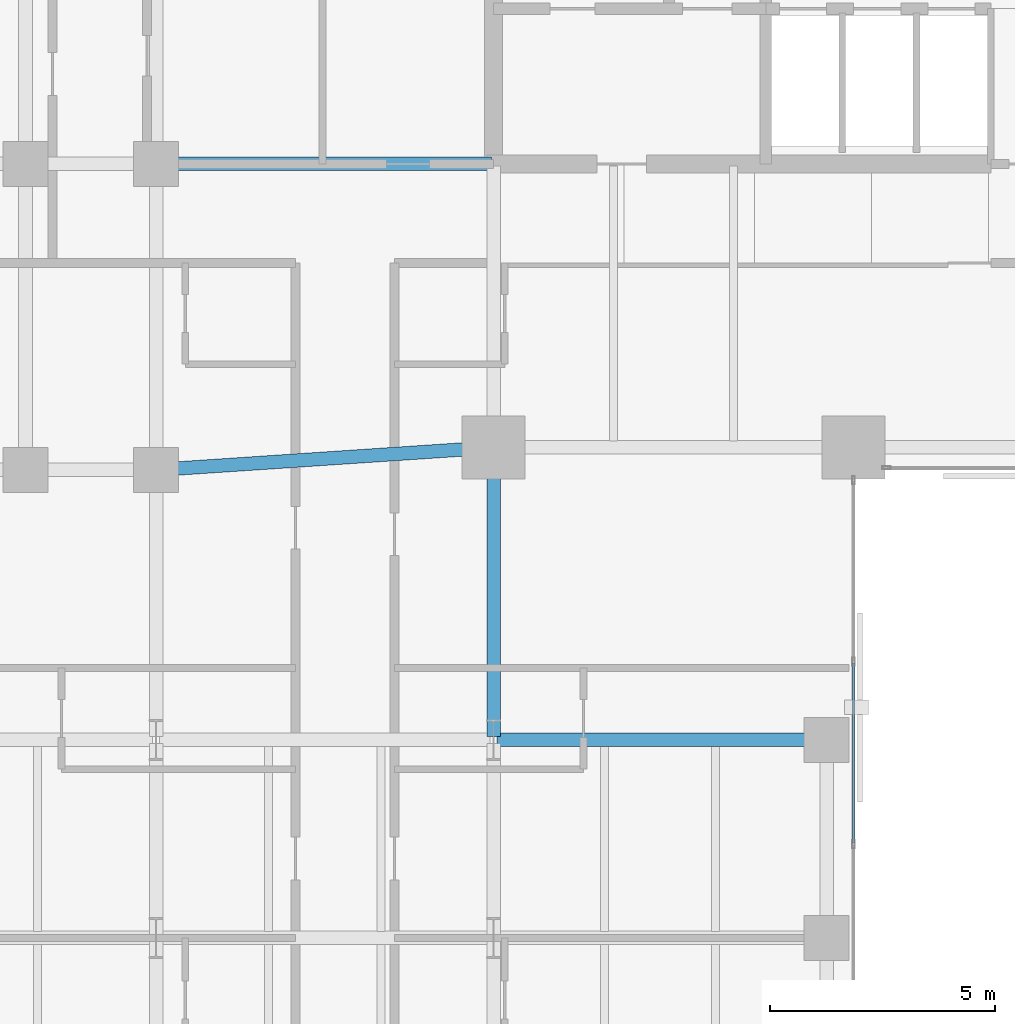
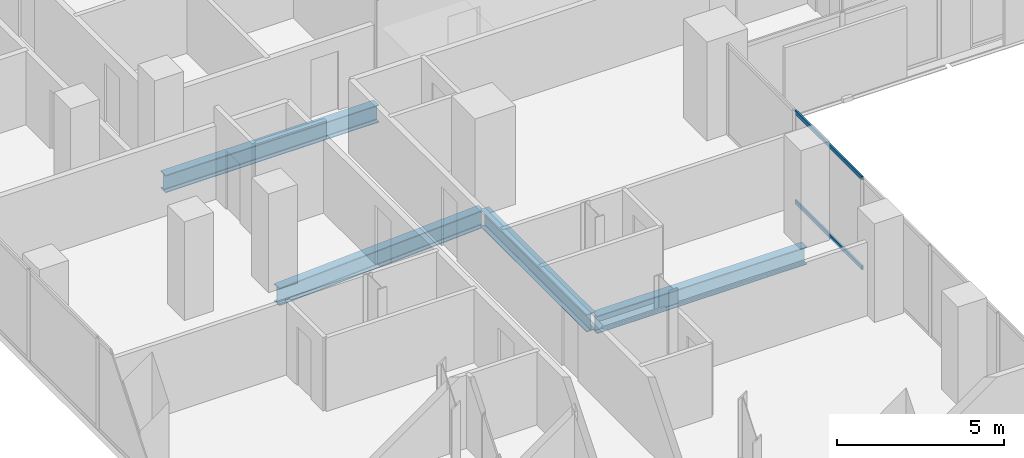
# One storey, part 11 of 32: 4 beams, 2 members, 1 element without a shape of its own.
"""IFC4 building model written with IfcOpenShell, lengths in metres."""

import ifcopenshell
import ifcopenshell.guid

model = None  # the IFC model being written
_history = None  # IfcOwnerHistory: only IFC2X3 demands one
_inside = {}  # id of a spatial element -> (the spatial element, [elements in it])
_under = {}  # id of a project, library or spatial element -> (it, [spatial elements below it])
_declared = {}  # id of a project -> (the project, [libraries it declares])
_typed = {}  # id of a type object -> (the type object, [elements of that type])
_made_of = {}  # id of a material, layer set ... -> (it, [elements and type objects made of it])


def new_model(schema):
    """Start an empty IFC model of exactly this schema.

    Asked for "IFC4X3", IfcOpenShell would pick the latest addendum, in which some entities
    have other attributes; the version numbers below select the first issue.
    IFC2X3 requires an IfcOwnerHistory on every rooted entity: one is made here for all.
    """
    global model, _history
    if schema == "IFC4X3":
        model = ifcopenshell.file(schema_version=(4, 3, 0, 0))
    else:
        model = ifcopenshell.file(schema=schema)
    _inside.clear()
    _under.clear()
    _declared.clear()
    _typed.clear()
    _made_of.clear()
    _history = None
    if model.schema == "IFC2X3":
        org = make("IfcOrganization", Name="unknown")
        user = make(
            "IfcPersonAndOrganization",
            ThePerson=make("IfcPerson", FamilyName="unknown"),
            TheOrganization=org,
        )
        app = make(
            "IfcApplication",
            ApplicationDeveloper=org,
            Version="unknown",
            ApplicationFullName="unknown",
            ApplicationIdentifier="unknown",
        )
        _history = make(
            "IfcOwnerHistory",
            OwningUser=user,
            OwningApplication=app,
            ChangeAction="ADDED",
            CreationDate=0,
        )
    return model


def make(cls, **values):
    """One entity of the class cls with the attributes given. An attribute that is None is left unset."""
    return model.create_entity(
        cls, **{name: value for name, value in values.items() if value is not None}
    )


def rooted(cls, **values):
    """An entity with a GlobalId (a new one), such as an element, a storey or a relation."""
    return make(cls, GlobalId=ifcopenshell.guid.new(), OwnerHistory=_history, **values)


def si_unit(unit_type, name, prefix=None):
    """IfcSIUnit, for example si_unit("LENGTHUNIT", "METRE", prefix="MILLI")."""
    return make("IfcSIUnit", UnitType=unit_type, Prefix=prefix, Name=name)


def assignment(units):
    """IfcUnitAssignment: the units of a project."""
    return None if units is None else make("IfcUnitAssignment", Units=units)


def point(xyz):
    """IfcCartesianPoint."""
    return None if xyz is None else make("IfcCartesianPoint", Coordinates=xyz)


def direction(xyz):
    """IfcDirection."""
    return None if xyz is None else make("IfcDirection", DirectionRatios=xyz)


def frame(location, z_axis=None, x_axis=None):
    """IfcAxis2Placement3D, a coordinate frame: its origin and axes. An axis left out is left unset."""
    return make(
        "IfcAxis2Placement3D",
        Location=point(location),
        Axis=direction(z_axis),
        RefDirection=direction(x_axis),
    )


def frame_2d(location, x_axis=None):
    """IfcAxis2Placement2D, a coordinate frame in the plane: its origin and x axis."""
    return make(
        "IfcAxis2Placement2D", Location=point(location), RefDirection=direction(x_axis)
    )


def origin():
    """The frame at (0, 0, 0) with its axes left unset."""
    return frame((0.0, 0.0, 0.0))


def origin_2d():
    """The frame at (0, 0) in the plane with its x axis left unset."""
    return frame_2d((0.0, 0.0))


def place(relative_to, where):
    """IfcLocalPlacement: puts the frame where relative to a parent placement (None: the world)."""
    return make(
        "IfcLocalPlacement", PlacementRelTo=relative_to, RelativePlacement=where
    )


def context(
    kind, dimensions, precision=None, world=None, true_north=None, identifier=None
):
    """IfcGeometricRepresentationContext, for example the 3D "Model" context."""
    return make(
        "IfcGeometricRepresentationContext",
        ContextIdentifier=identifier,
        ContextType=kind,
        CoordinateSpaceDimension=dimensions,
        Precision=precision,
        WorldCoordinateSystem=world,
        TrueNorth=true_north,
    )


def subcontext(parent, identifier, kind, view, scale=None):
    """IfcGeometricRepresentationSubContext, for example "Body" below "Model"."""
    return make(
        "IfcGeometricRepresentationSubContext",
        ContextIdentifier=identifier,
        ContextType=kind,
        ParentContext=parent,
        TargetScale=scale,
        TargetView=view,
    )


def project(units=None, contexts=None):
    """IfcProject with its units and contexts."""
    return rooted(
        "IfcProject",
        Name="project",
        RepresentationContexts=contexts,
        UnitsInContext=assignment(units),
    )


def spatial(cls, under=None, at=None, **own):
    """A site, building, storey or space (cls), placed at a placement, below another one or the project."""
    s = rooted(cls, ObjectPlacement=at, **own)
    if under is not None:
        _under.setdefault(under.id(), (under, []))[1].append(s)
    return s


def profile(cls, at=None, kind="AREA", **sizes):
    """A parametric profile (cls). Its sizes go by their IFC names, for example OverallWidth=200.0."""
    return make(cls, ProfileType=kind, Position=at, **sizes)


def hollow_rectangle(**sizes):
    """IfcRectangleHollowProfileDef."""
    return profile("IfcRectangleHollowProfileDef", **sizes)


def i_section(**sizes):
    """IfcIShapeProfileDef."""
    return profile("IfcIShapeProfileDef", **sizes)


def extrude(swept, where, along, depth):
    """IfcExtrudedAreaSolid: the profile swept, set in the frame where, extruded along a direction by depth."""
    return make(
        "IfcExtrudedAreaSolid",
        SweptArea=swept,
        Position=where,
        ExtrudedDirection=direction(along),
        Depth=depth,
    )


def shape(context_of_items, identifier, shape_type, items):
    """IfcShapeRepresentation: the items that make up one representation, for example the "Body"."""
    return make(
        "IfcShapeRepresentation",
        ContextOfItems=context_of_items,
        RepresentationIdentifier=identifier,
        RepresentationType=shape_type,
        Items=items,
    )


def material(Name=None, Category=None):
    """IfcMaterial."""
    return make("IfcMaterial", Name=Name, Category=Category)


def layer(
    of_material, thickness, ventilated=None, Name=None, Category=None, Priority=None
):
    """IfcMaterialLayer: one layer of a wall or slab, of a material (None: an air gap)."""
    return make(
        "IfcMaterialLayer",
        Material=of_material,
        LayerThickness=thickness,
        IsVentilated=ventilated,
        Name=Name,
        Category=Category,
        Priority=Priority,
    )


def layer_set(layers, Name=None):
    """IfcMaterialLayerSet."""
    return make("IfcMaterialLayerSet", MaterialLayers=layers, LayerSetName=Name)


def material_profile(
    of_material, cross_section, Name=None, Category=None, Priority=None
):
    """IfcMaterialProfile: a cross section and its material."""
    return make(
        "IfcMaterialProfile",
        Name=Name,
        Material=of_material,
        Profile=cross_section,
        Priority=Priority,
        Category=Category,
    )


def profile_set(profiles, Name=None, composite=None):
    """IfcMaterialProfileSet."""
    return make(
        "IfcMaterialProfileSet",
        Name=Name,
        MaterialProfiles=profiles,
        CompositeProfile=composite,
    )


def made_of(thing, what):
    """Note that an element or type object is made of a material, layer set ...; save() writes the relation."""
    if what is not None:
        _made_of.setdefault(what.id(), (what, []))[1].append(thing)
    return thing


def type_object(cls, material=None, **own):
    """A type object (cls), such as IfcWallType, which elements share."""
    return made_of(rooted(cls, **own), material)


def element(
    cls,
    number,
    at=None,
    inside=None,
    cuts=None,
    type_object=None,
    material=None,
    context=None,
    identifier="Body",
    shape_type=None,
    held_by="IfcProductDefinitionShape",
    body=None,
    shapes=None,
    **own,
):
    """One element of the class cls, such as IfcWall. Its Tag is "e" and its number.

    at: its placement. inside: the storey or other place that contains it. cuts: it is an
    opening in that element (IfcRelVoidsElement). A single representation is given by context,
    identifier, shape_type and body (its items); several are given by shapes. held_by: the class
    of the entity that holds the representations. save() writes the other relations.
    """
    e = rooted(cls, Tag="e%d" % number, ObjectPlacement=at, **own)
    if body is not None:
        shapes = [shape(context, identifier, shape_type, body)]
    if shapes is not None:
        e.Representation = make(held_by, Representations=shapes)
    if inside is not None:
        _inside.setdefault(inside.id(), (inside, []))[1].append(e)
    if cuts is not None:
        rooted(
            "IfcRelVoidsElement", RelatingBuildingElement=cuts, RelatedOpeningElement=e
        )
    if type_object is not None:
        _typed.setdefault(type_object.id(), (type_object, []))[1].append(e)
    return made_of(e, material)


def aggregate(whole, parts):
    """IfcRelAggregates: a whole, such as a stair, and the parts it consists of."""
    return rooted("IfcRelAggregates", RelatingObject=whole, RelatedObjects=parts)


def save(model, path):
    """Write the relations noted so far, then the file.

    IfcRelAggregates (storeys below a building ...), IfcRelContainedInSpatialStructure (elements
    in a storey), IfcRelDefinesByType, IfcRelAssociatesMaterial and IfcRelDeclares: one each for
    every whole, place, type object, material and project.
    """
    for whole, parts in _under.values():
        aggregate(whole, parts)
    for where, things in _inside.values():
        rooted(
            "IfcRelContainedInSpatialStructure",
            RelatedElements=things,
            RelatingStructure=where,
        )
    for kind, things in _typed.values():
        rooted("IfcRelDefinesByType", RelatedObjects=things, RelatingType=kind)
    for what, things in _made_of.values():
        rooted("IfcRelAssociatesMaterial", RelatedObjects=things, RelatingMaterial=what)
    for by, libraries in _declared.values():
        rooted("IfcRelDeclares", RelatingContext=by, RelatedDefinitions=libraries)
    model.write(path)


model = new_model("IFC4")

# Units and contexts
model_context = context("Model", 3, precision=1e-05, world=origin(), true_north=direction((0.0, 1.0)))
body_context = subcontext(model_context, "Body", "Model", "MODEL_VIEW")
ifc_project = project(units=[si_unit("LENGTHUNIT", "METRE"), si_unit("AREAUNIT", "SQUARE_METRE"), si_unit("VOLUMEUNIT", "CUBIC_METRE"), si_unit("PLANEANGLEUNIT", "RADIAN"), si_unit("MASSUNIT", "GRAM", prefix="KILO")], contexts=[model_context])

# Site, building, storey
site_placement = place(None, origin())
site = spatial("IfcSite", under=ifc_project, at=site_placement, CompositionType="ELEMENT")
building_placement = place(site_placement, origin())
building = spatial("IfcBuilding", under=site, at=building_placement, Name="Catumbela Crestline Tower", CompositionType="ELEMENT")
storey_placement = place(building_placement, frame((0.0, 0.0, 33.0)))
storey = spatial("IfcBuildingStorey", under=building, at=storey_placement, Name="L07", CompositionType="ELEMENT", Elevation=33.0)

# Beams
ifc_material_1 = material(Name="Structural steel S355J2", Category="steel")
ifc_material_profile_1 = material_profile(ifc_material_1, i_section(OverallWidth=0.3, OverallDepth=0.64, WebThickness=0.0135, FlangeThickness=0.026, FilletRadius=0.027, at=origin_2d()), Name="HEA 650")
ifc_profile_set_1 = profile_set([ifc_material_profile_1], Name="Structural steel S355J2")
beam_type = type_object("IfcBeamType", Name="BG-HEA650", PredefinedType="BEAM", material=ifc_profile_set_1)
beam_1_placement = place(storey_placement, frame((8.5798, 24.0053, -0.58), z_axis=(0.997784796964, 0.066524423687, 0.0), x_axis=(-0.066524423687, 0.997784796964, 0.0)))
element("IfcBeam", 1, at=beam_1_placement, inside=storey, type_object=beam_type, Name="L07 Beam BM-L07-S03", PredefinedType="BEAM", context=body_context, shape_type="SweptSolid", body=[
    extrude(i_section(OverallWidth=0.3, OverallDepth=0.64, WebThickness=0.0135, FlangeThickness=0.026, FilletRadius=0.027, at=origin_2d()), origin(), (0.0, 0.0, 1.0), 7.3567),
])
beam_2_placement = place(storey_placement, frame((8.58, 30.8, -0.58), z_axis=(1.0, 0.0, 0.0), x_axis=(0.0, 1.0, 0.0)))
element("IfcBeam", 2, at=beam_2_placement, inside=storey, type_object=beam_type, Name="L07 Beam BM-L07-M09", PredefinedType="BEAM", context=body_context, shape_type="SweptSolid", body=[
    extrude(i_section(OverallWidth=0.3, OverallDepth=0.64, WebThickness=0.0135, FlangeThickness=0.026, FilletRadius=0.027, at=origin_2d()), origin(), (0.0, 0.0, 1.0), 7.37),
])
beam_3_placement = place(storey_placement, frame((16.08, 18.0, -0.58), z_axis=(1.0, 0.0, 0.0), x_axis=(0.0, 1.0, 0.0)))
element("IfcBeam", 3, at=beam_3_placement, inside=storey, type_object=beam_type, Name="L07 Beam BM-L07-WEW56", PredefinedType="BEAM", context=body_context, shape_type="SweptSolid", body=[
    extrude(i_section(OverallWidth=0.3, OverallDepth=0.64, WebThickness=0.0135, FlangeThickness=0.026, FilletRadius=0.027, at=origin_2d()), origin(), (0.0, 0.0, 1.0), 7.24),
])
beam_4_placement = place(storey_placement, frame((16.0, 18.08, -0.58), z_axis=(0.0, 1.0, 0.0), x_axis=(-1.0, 0.0, 0.0)))
element("IfcBeam", 4, at=beam_4_placement, inside=storey, type_object=beam_type, Name="L07 Beam BM-L07-WNS67", PredefinedType="BEAM", context=body_context, shape_type="SweptSolid", body=[
    extrude(i_section(OverallWidth=0.3, OverallDepth=0.64, WebThickness=0.0135, FlangeThickness=0.026, FilletRadius=0.027, at=origin_2d()), origin(), (0.0, 0.0, 1.0), 6.34),
])

# Curtain wall, members
ifc_material_2 = material(Name="Aluminium alloy AW-6060-T66", Category="aluminium")
ifc_layer = layer(ifc_material_2, 0.18, Name="Aluminium alloy AW-6060-T66")
ifc_layer_set = layer_set([ifc_layer], Name="Aluminium alloy AW-6060-T66")
curtain_wall_type = type_object("IfcCurtainWallType", Name="CWU-Z1", PredefinedType="USERDEFINED", material=ifc_layer_set)
curtain_wall_placement = place(storey_placement, origin())
curtain_wall = element("IfcCurtainWall", 5, at=curtain_wall_placement, inside=storey, type_object=curtain_wall_type, Name="L07 Unitised Curtain Wall CW-L07-E2S1", ObjectType="UNITISED", PredefinedType="USERDEFINED")
ifc_material_profile_2 = material_profile(ifc_material_2, hollow_rectangle(XDim=0.06, YDim=0.14, WallThickness=0.004, at=origin_2d()), Name="ALU 140x60x4")
ifc_profile_set_2 = profile_set([ifc_material_profile_2], Name="Aluminium alloy AW-6060-T66")
member_type = type_object("IfcMemberType", Name="TRN-140X60", PredefinedType="USERDEFINED", material=ifc_profile_set_2)
member_1_placement = place(storey_placement, frame((24.0, 15.7125, 0.03), z_axis=(0.0, 1.0, 0.0), x_axis=(-1.0, 0.0, 0.0)))
member_1 = element("IfcMember", 6, at=member_1_placement, type_object=member_type, Name="CWU-Z1 transom 4.1", ObjectType="TRANSOM", PredefinedType="USERDEFINED", context=body_context, shape_type="SweptSolid", body=[
    extrude(hollow_rectangle(XDim=0.06, YDim=0.14, WallThickness=0.004, at=origin_2d()), origin(), (0.0, 0.0, 1.0), 3.995),
])
member_2_placement = place(storey_placement, frame((24.0, 15.7125, 3.3), z_axis=(0.0, 1.0, 0.0), x_axis=(-1.0, 0.0, 0.0)))
member_2 = element("IfcMember", 7, at=member_2_placement, type_object=member_type, Name="CWU-Z1 transom 4.2", ObjectType="TRANSOM", PredefinedType="USERDEFINED", context=body_context, shape_type="SweptSolid", body=[
    extrude(hollow_rectangle(XDim=0.06, YDim=0.14, WallThickness=0.004, at=origin_2d()), origin(), (0.0, 0.0, 1.0), 3.995),
])
aggregate(curtain_wall, [member_1, member_2])

save(model, "model.ifc")
